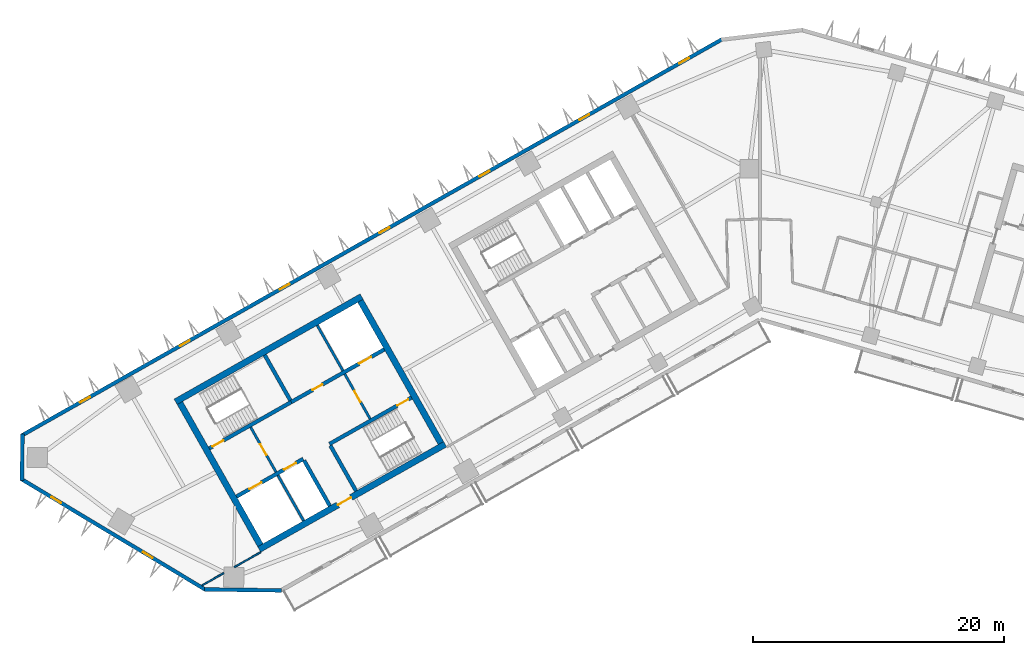
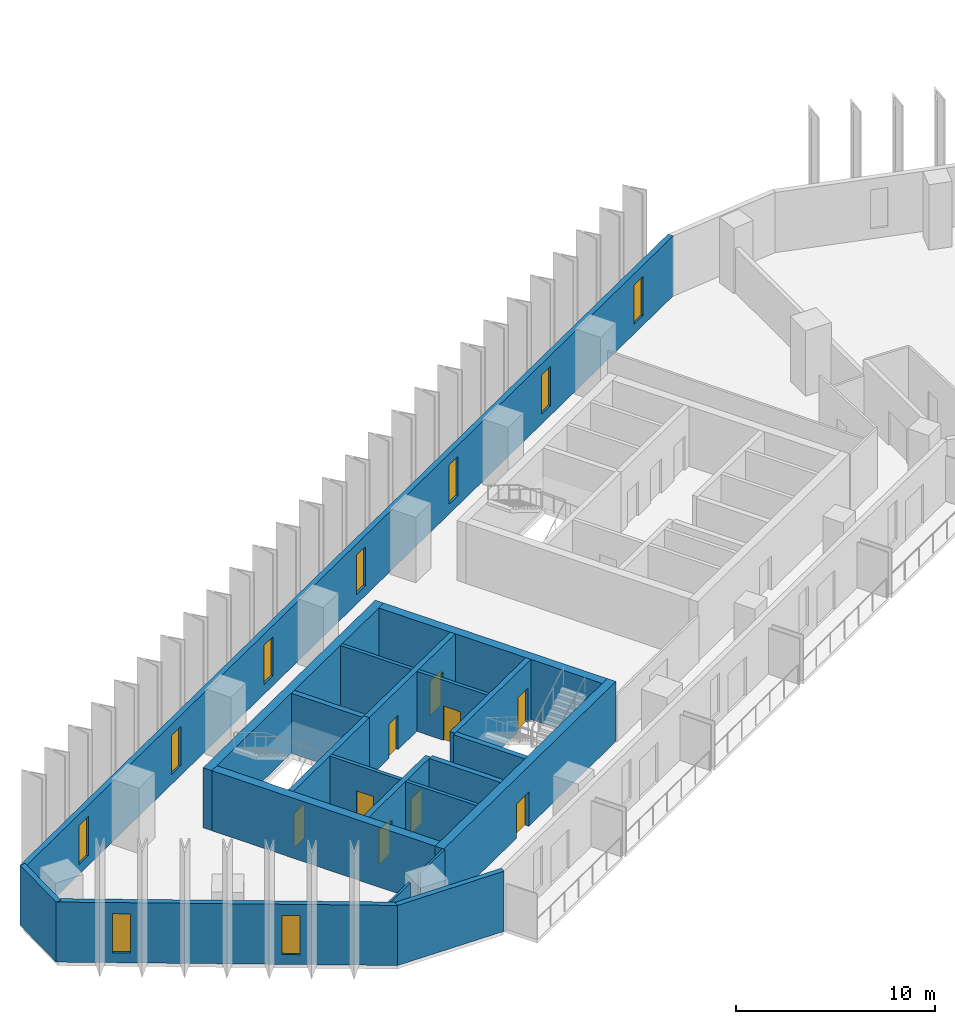
# One storey, part 3 of 10: 21 walls, 9 doors, 9 windows, 18 openings.
"""IFC4 building model written with IfcOpenShell, lengths in metres."""

from ifc_helpers import new_model, si_unit, direction, frame, frame_2d, origin, place, context, subcontext, project, spatial, rectangle, extrude, material, layer, layer_set, type_object, element, fill, save


model = new_model("IFC4")

# Units and contexts
model_context = context("Model", 3, precision=1e-05, world=origin(), true_north=direction((0.0, 1.0)))
body_context = subcontext(model_context, "Body", "Model", "MODEL_VIEW")
ifc_project = project(units=[si_unit("LENGTHUNIT", "METRE"), si_unit("AREAUNIT", "SQUARE_METRE"), si_unit("VOLUMEUNIT", "CUBIC_METRE"), si_unit("PLANEANGLEUNIT", "RADIAN"), si_unit("MASSUNIT", "GRAM", prefix="KILO")], contexts=[model_context])

# Site, building, storey
site_placement = place(None, origin())
site = spatial("IfcSite", under=ifc_project, at=site_placement, CompositionType="ELEMENT")
building_placement = place(site_placement, origin())
building = spatial("IfcBuilding", under=site, at=building_placement, Name="Binnacle Exchange Tower", CompositionType="ELEMENT")
storey_placement = place(building_placement, frame((0.0, 0.0, 194.89990234375)))
storey = spatial("IfcBuildingStorey", under=building, at=storey_placement, Name="L42", CompositionType="ELEMENT", Elevation=194.89990234375)

# Wall, openings, doors
ifc_material_1 = material(Name="Concrete C70/85", Category="concrete")
ifc_layer_1 = layer(ifc_material_1, 0.300048828125)
ifc_layer_set_1 = layer_set([ifc_layer_1], Name="Core wall - front 300")
wall_type_1 = type_object("IfcWallType", Name="Core wall - front 300", PredefinedType="SOLIDWALL", material=ifc_layer_set_1)
wall_1_placement = place(storey_placement, frame((-41.64306640625, 33.91162109375, 0.0), z_axis=(0.0, 0.0, 1.0), x_axis=(0.870343599782, 0.492444939378, 0.0)))
wall_1 = element("IfcWall", 1, at=wall_1_placement, inside=storey, type_object=wall_type_1, Name="Core wall CRWA2", PredefinedType="SOLIDWALL", context=body_context, shape_type="SweptSolid", body=[
    extrude(rectangle(XDim=6.10009765625, YDim=0.300048828125, at=frame_2d((3.050048828125, 0.0))), origin(), (0.0, 0.0, 1.0), 3.68017578125),
])
opening_1_placement = place(wall_1_placement, frame((1.199951171875, 0.0, 0.0)))
opening_1 = element("IfcOpeningElement", 2, at=opening_1_placement, cuts=wall_1, Name="Opening LD12", PredefinedType="OPENING", context=body_context, shape_type="SweptSolid", body=[
    extrude(rectangle(XDim=1.10009765625, YDim=2.10009765625, at=frame_2d((0.550048828125, 1.050048828125))), frame((0.0, 0.159912109375, 0.0), z_axis=(0.0, -1.0, 0.0), x_axis=(1.0, 0.0, 0.0)), (0.0, 0.0, 1.0), 0.320068359375),
])
opening_2_placement = place(wall_1_placement, frame((4.35009765625, 0.0, 0.0)))
opening_2 = element("IfcOpeningElement", 3, at=opening_2_placement, cuts=wall_1, Name="Opening LD8", PredefinedType="OPENING", context=body_context, shape_type="SweptSolid", body=[
    extrude(rectangle(XDim=1.10009765625, YDim=2.10009765625, at=frame_2d((0.550048828125, 1.050048828125))), frame((0.0, 0.159912109375, 0.0), z_axis=(0.0, -1.0, 0.0), x_axis=(1.0, 0.0, 0.0)), (0.0, 0.0, 1.0), 0.320068359375),
])
ifc_material_2 = material(Name="Steel door leaf", Category="steel")
door_type_1 = type_object("IfcDoorType", Name="Fire door - lift landing 1100", OperationType="NOTDEFINED", PredefinedType="DOOR", material=ifc_material_2)
door_1_placement = place(opening_1_placement, origin())
door_1 = element("IfcDoor", 4, at=door_1_placement, inside=storey, type_object=door_type_1, Name="Landing door LD12 L42", OperationType="DOUBLE_DOOR_SLIDING", OverallHeight=2.10009765625, OverallWidth=1.10009765625, PredefinedType="DOOR", context=body_context, shape_type="SweptSolid", body=[
    extrude(rectangle(XDim=1.10009765625, YDim=2.10009765625, at=frame_2d((0.550048828125, 1.050048828125))), frame((0.0, 0.02490234375, 0.0), z_axis=(0.0, -1.0, 0.0), x_axis=(1.0, 0.0, 0.0)), (0.0, 0.0, 1.0), 0.050048828125),
])
fill(opening_1, door_1)
door_2_placement = place(opening_2_placement, origin())
door_2 = element("IfcDoor", 5, at=door_2_placement, inside=storey, type_object=door_type_1, Name="Landing door LD8 L42", OperationType="DOUBLE_DOOR_SLIDING", OverallHeight=2.10009765625, OverallWidth=1.10009765625, PredefinedType="DOOR", context=body_context, shape_type="SweptSolid", body=[
    extrude(rectangle(XDim=1.10009765625, YDim=2.10009765625, at=frame_2d((0.550048828125, 1.050048828125))), frame((0.0, 0.02490234375, 0.0), z_axis=(0.0, -1.0, 0.0), x_axis=(1.0, 0.0, 0.0)), (0.0, 0.0, 1.0), 0.050048828125),
])
fill(opening_2, door_2)

wall_2_placement = place(storey_placement, frame((-37.281982421875, 41.4345703125, 0.0), z_axis=(0.0, 0.0, 1.0), x_axis=(0.870356271124, 0.492422543467, 0.0)))
wall_2 = element("IfcWall", 6, at=wall_2_placement, inside=storey, type_object=wall_type_1, Name="Core wall CRWA5", PredefinedType="SOLIDWALL", context=body_context, shape_type="SweptSolid", body=[
    extrude(rectangle(XDim=8.5, YDim=0.300048828125, at=frame_2d((4.25, 0.0))), origin(), (0.0, 0.0, 1.0), 3.68017578125),
])
opening_3_placement = place(wall_2_placement, frame((6.199951171875, 0.0, 0.0)))
opening_3 = element("IfcOpeningElement", 7, at=opening_3_placement, cuts=wall_2, Name="Opening LD13", PredefinedType="OPENING", context=body_context, shape_type="SweptSolid", body=[
    extrude(rectangle(XDim=1.10009765625, YDim=2.10009765625, at=frame_2d((0.550048828125, 1.050048828125))), frame((0.0, 0.159912109375, 0.0), z_axis=(0.0, -1.0, 0.0), x_axis=(1.0, 0.0, 0.0)), (0.0, 0.0, 1.0), 0.320068359375),
])
opening_4_placement = place(wall_2_placement, frame((1.949951171875, 0.0, 0.0)))
opening_4 = element("IfcOpeningElement", 8, at=opening_4_placement, cuts=wall_2, Name="Opening DA10", PredefinedType="OPENING", context=body_context, shape_type="SweptSolid", body=[
    extrude(rectangle(XDim=0.89990234375, YDim=2.10009765625, at=frame_2d((0.449951171875, 1.050048828125))), frame((0.0, 0.159912109375, 0.0), z_axis=(0.0, -1.0, 0.0), x_axis=(1.0, 0.0, 0.0)), (0.0, 0.0, 1.0), 0.320068359375),
])
door_3_placement = place(opening_3_placement, origin())
door_3 = element("IfcDoor", 9, at=door_3_placement, inside=storey, type_object=door_type_1, Name="Landing door LD13 L42", OperationType="DOUBLE_DOOR_SLIDING", OverallHeight=2.10009765625, OverallWidth=1.10009765625, PredefinedType="DOOR", context=body_context, shape_type="SweptSolid", body=[
    extrude(rectangle(XDim=1.10009765625, YDim=2.10009765625, at=frame_2d((0.550048828125, 1.050048828125))), frame((0.0, 0.02490234375, 0.0), z_axis=(0.0, -1.0, 0.0), x_axis=(1.0, 0.0, 0.0)), (0.0, 0.0, 1.0), 0.050048828125),
])
fill(opening_3, door_3)
door_type_2 = type_object("IfcDoorType", Name="Fire door 900", OperationType="NOTDEFINED", PredefinedType="DOOR", material=ifc_material_2)
door_4_placement = place(opening_4_placement, origin())
door_4 = element("IfcDoor", 10, at=door_4_placement, inside=storey, type_object=door_type_2, Name="Core room door LINEN AND SUPPLIES STORE", OperationType="SINGLE_SWING_LEFT", OverallHeight=2.10009765625, OverallWidth=0.89990234375, PredefinedType="DOOR", context=body_context, shape_type="SweptSolid", body=[
    extrude(rectangle(XDim=0.89990234375, YDim=2.10009765625, at=frame_2d((0.449951171875, 1.050048828125))), frame((0.0, 0.02490234375, 0.0), z_axis=(0.0, -1.0, 0.0), x_axis=(1.0, 0.0, 0.0)), (0.0, 0.0, 1.0), 0.050048828125),
])
fill(opening_4, door_4)

# Wall
wall_3_placement = place(storey_placement, frame((-36.260009765625, 36.784912109375, 0.0), z_axis=(0.0, 0.0, 1.0), x_axis=(0.492421666909, -0.870356767055, 0.0)))
element("IfcWall", 11, at=wall_3_placement, inside=storey, type_object=wall_type_1, Name="Core wall CRWA13", PredefinedType="SOLIDWALL", context=body_context, shape_type="SweptSolid", body=[
    extrude(rectangle(XDim=4.14990234375, YDim=0.300048828125, at=frame_2d((2.074951171875, 0.0))), origin(), (0.0, 0.0, 1.0), 3.68017578125),
])

# Wall, opening, door
ifc_layer_2 = layer(ifc_material_1, 0.5)
ifc_layer_set_2 = layer_set([ifc_layer_2], Name="Core wall - outer 500")
wall_type_2 = type_object("IfcWallType", Name="Core wall - outer 500", PredefinedType="SOLIDWALL", material=ifc_layer_set_2)
wall_4_placement = place(storey_placement, frame((-39.837646484375, 29.705322265625, 0.0), z_axis=(0.0, 0.0, 1.0), x_axis=(0.870350116061, 0.492433422375, 0.0)))
wall_4 = element("IfcWall", 12, at=wall_4_placement, inside=storey, type_object=wall_type_2, Name="Core wall CRWA1", PredefinedType="SOLIDWALL", context=body_context, shape_type="SweptSolid", body=[
    extrude(rectangle(XDim=17.0, YDim=0.5, at=frame_2d((8.5, 0.0))), origin(), (0.0, 0.0, 1.0), 3.68017578125),
])
opening_5_placement = place(wall_4_placement, frame((7.199951171875, 0.0, 0.0)))
opening_5 = element("IfcOpeningElement", 13, at=opening_5_placement, cuts=wall_4, Name="Opening DA7", PredefinedType="OPENING", context=body_context, shape_type="SweptSolid", body=[
    extrude(rectangle(XDim=1.199951171875, YDim=2.10009765625, at=frame_2d((0.60009765625, 1.050048828125))), frame((0.0, 0.260009765625, 0.0), z_axis=(0.0, -1.0, 0.0), x_axis=(1.0, 0.0, 0.0)), (0.0, 0.0, 1.0), 0.52001953125),
])
door_type_3 = type_object("IfcDoorType", Name="Fire door 1200", OperationType="NOTDEFINED", PredefinedType="DOOR", material=ifc_material_2)
door_5_placement = place(opening_5_placement, frame((1.199951171875, 0.0, 0.0), z_axis=(0.0, 0.0, 1.0), x_axis=(-1.0, 0.0, 0.0)))
door_5 = element("IfcDoor", 14, at=door_5_placement, inside=storey, type_object=door_type_3, Name="Lift lobby entrance door core A", OperationType="SINGLE_SWING_RIGHT", OverallHeight=2.10009765625, OverallWidth=1.199951171875, PredefinedType="DOOR", context=body_context, shape_type="SweptSolid", body=[
    extrude(rectangle(XDim=1.199951171875, YDim=2.10009765625, at=frame_2d((0.60009765625, 1.050048828125))), frame((0.0, 0.02490234375, 0.0), z_axis=(0.0, -1.0, 0.0), x_axis=(1.0, 0.0, 0.0)), (0.0, 0.0, 1.0), 0.050048828125),
])
fill(opening_5, door_5)

# Walls
wall_5_placement = place(storey_placement, frame((-46.485595703125, 41.455078125, 0.0), z_axis=(0.0, 0.0, 1.0), x_axis=(0.870353598469, 0.492427267353, 0.0)))
element("IfcWall", 15, at=wall_5_placement, inside=storey, type_object=wall_type_2, Name="Core wall CRWA6", PredefinedType="SOLIDWALL", context=body_context, shape_type="SweptSolid", body=[
    extrude(rectangle(XDim=17.000244140625, YDim=0.5, at=frame_2d((8.5, 0.0))), origin(), (0.0, 0.0, 1.0), 3.68017578125),
])
for number, where, z_axis, x_axis, name in (
    (16, (-46.144775390625, 41.360595703125, 0.0), (0.0, 0.0, 1.0), (0.492435316254, -0.870349044525, 0.0), "Core wall CRWA7"),
    (17, (-31.783935546875, 49.485595703125, 0.0), (0.0, 0.0, 1.0), (0.492435316254, -0.870349044525, 0.0), "Core wall CRWA22"),
):
    element("IfcWall", number, at=place(storey_placement, frame(where, z_axis=z_axis, x_axis=x_axis)), inside=storey, type_object=wall_type_2, Name=name, PredefinedType="SOLIDWALL", context=body_context, shape_type="SweptSolid", body=[
        extrude(rectangle(XDim=13.0, YDim=0.5, at=frame_2d((6.5, 0.0))), origin(), (0.0, 0.0, 1.0), 3.68017578125),
    ])

# Wall, opening, door
ifc_layer_3 = layer(ifc_material_1, 0.300048828125)
ifc_layer_set_3 = layer_set([ifc_layer_3], Name="Core wall - stair 300")
wall_type_3 = type_object("IfcWallType", Name="Core wall - stair 300", PredefinedType="SOLIDWALL", material=ifc_layer_set_3)
wall_6_placement = place(storey_placement, frame((-34.2451171875, 38.097412109375, 0.0), z_axis=(0.0, 0.0, 1.0), x_axis=(0.870364520461, 0.492407962489, 0.0)))
wall_6 = element("IfcWall", 18, at=wall_6_placement, inside=storey, type_object=wall_type_3, Name="Core wall CRWA3", PredefinedType="SOLIDWALL", context=body_context, shape_type="SweptSolid", body=[
    extrude(rectangle(XDim=7.5, YDim=0.300048828125, at=frame_2d((3.75, 0.0))), origin(), (0.0, 0.0, 1.0), 3.68017578125),
])
opening_6_placement = place(wall_6_placement, frame((6.199951171875, 0.0, 0.0)))
opening_6 = element("IfcOpeningElement", 19, at=opening_6_placement, cuts=wall_6, Name="Opening DA2", PredefinedType="OPENING", context=body_context, shape_type="SweptSolid", body=[
    extrude(rectangle(XDim=1.0, YDim=2.10009765625, at=frame_2d((0.5, 1.050048828125))), frame((0.0, 0.159912109375, 0.0), z_axis=(0.0, -1.0, 0.0), x_axis=(1.0, 0.0, 0.0)), (0.0, 0.0, 1.0), 0.320068359375),
])
door_type_4 = type_object("IfcDoorType", Name="Fire door 1000", OperationType="NOTDEFINED", PredefinedType="DOOR", material=ifc_material_2)
door_6_placement = place(opening_6_placement, frame((1.0, 0.0, 0.0), z_axis=(0.0, 0.0, 1.0), x_axis=(-1.0, 0.0, 0.0)))
door_6 = element("IfcDoor", 20, at=door_6_placement, inside=storey, type_object=door_type_4, Name="Stair door ST-A2", OperationType="SINGLE_SWING_LEFT", OverallHeight=2.10009765625, OverallWidth=1.0, PredefinedType="DOOR", context=body_context, shape_type="SweptSolid", body=[
    extrude(rectangle(XDim=1.0, YDim=2.10009765625, at=frame_2d((0.5, 1.050048828125))), frame((0.0, 0.02490234375, 0.0), z_axis=(0.0, -1.0, 0.0), x_axis=(1.0, 0.0, 0.0)), (0.0, 0.0, 1.0), 0.050048828125),
])
fill(opening_6, door_6)

wall_7_placement = place(storey_placement, frame((-43.809814453125, 37.7412109375, 0.0), z_axis=(0.0, 0.0, 1.0), x_axis=(0.870350569555, 0.492432620848, 0.0)))
wall_7 = element("IfcWall", 21, at=wall_7_placement, inside=storey, type_object=wall_type_3, Name="Core wall CRWA4", PredefinedType="SOLIDWALL", context=body_context, shape_type="SweptSolid", body=[
    extrude(rectangle(XDim=7.500244140625, YDim=0.300048828125, at=frame_2d((3.75, 0.0))), origin(), (0.0, 0.0, 1.0), 3.68017578125),
])
opening_7_placement = place(wall_7_placement, frame((0.2998046875, 0.0, 0.0)))
opening_7 = element("IfcOpeningElement", 22, at=opening_7_placement, cuts=wall_7, Name="Opening DA1", PredefinedType="OPENING", context=body_context, shape_type="SweptSolid", body=[
    extrude(rectangle(XDim=1.0, YDim=2.10009765625, at=frame_2d((0.5, 1.050048828125))), frame((0.0, 0.159912109375, 0.0), z_axis=(0.0, -1.0, 0.0), x_axis=(1.0, 0.0, 0.0)), (0.0, 0.0, 1.0), 0.320068359375),
])
door_7_placement = place(opening_7_placement, origin())
door_7 = element("IfcDoor", 23, at=door_7_placement, inside=storey, type_object=door_type_4, Name="Stair door ST-A1", OperationType="SINGLE_SWING_LEFT", OverallHeight=2.10009765625, OverallWidth=1.0, PredefinedType="DOOR", context=body_context, shape_type="SweptSolid", body=[
    extrude(rectangle(XDim=1.0, YDim=2.10009765625, at=frame_2d((0.5, 1.050048828125))), frame((0.0, 0.02490234375, 0.0), z_axis=(0.0, -1.0, 0.0), x_axis=(1.0, 0.0, 0.0)), (0.0, 0.0, 1.0), 0.050048828125),
])
fill(opening_7, door_7)

# Walls
for number, where, z_axis, x_axis, name in (
    (24, (-39.3994140625, 45.177001953125, 0.0), (0.0, 0.0, 1.0), (0.492396453737, -0.870371031427, 0.0), "Core wall CRWA14"),
    (25, (-34.171142578125, 37.966796875, 0.0), (0.0, 0.0, 1.0), (0.492396453737, -0.870371031427, 0.0), "Core wall CRWA16"),
):
    element("IfcWall", number, at=place(storey_placement, frame(where, z_axis=z_axis, x_axis=x_axis)), inside=storey, type_object=wall_type_3, Name=name, PredefinedType="SOLIDWALL", context=body_context, shape_type="SweptSolid", body=[
        extrude(rectangle(XDim=4.14990234375, YDim=0.300048828125, at=frame_2d((2.074951171875, 0.0))), origin(), (0.0, 0.0, 1.0), 3.68017578125),
    ])
ifc_material_3 = material(Name="Bronze aluminium cladding", Category="aluminium")
ifc_layer_4 = layer(ifc_material_3, 0.300048828125)
ifc_layer_set_4 = layer_set([ifc_layer_4], Name="External wall - spandrel 300")
wall_type_4 = type_object("IfcWallType", Name="External wall - spandrel 300", PredefinedType="STANDARD", material=ifc_layer_set_4)
wall_8_placement = place(storey_placement, frame((-38.057373046875, 26.44482421875, 0.0), z_axis=(0.0, 0.0, 1.0), x_axis=(-0.999914086342, 0.013108010296, 0.0)))
element("IfcWall", 26, at=wall_8_placement, inside=storey, type_object=wall_type_4, Name="External wall EW-G00 L42", PredefinedType="STANDARD", context=body_context, shape_type="SweptSolid", body=[
    extrude(rectangle(XDim=6.127685546875, YDim=0.300048828125, at=frame_2d((3.06396484375, 0.0))), origin(), (0.0, 0.0, 1.0), 3.68017578125),
])

# Wall, openings, windows
wall_9_placement = place(storey_placement, frame((-58.744873046875, 38.763671875, 0.0), z_axis=(0.0, 0.0, 1.0), x_axis=(0.870355811726, 0.492423355453, 0.0)))
wall_9 = element("IfcWall", 27, at=wall_9_placement, inside=storey, type_object=wall_type_4, Name="External wall EW-G08 L42", PredefinedType="STANDARD", context=body_context, shape_type="SweptSolid", body=[
    extrude(rectangle(XDim=64.025390625, YDim=0.300048828125, at=frame_2d((32.0126953125, 0.0))), origin(), (0.0, 0.0, 1.0), 3.68017578125),
])
opening_8_placement = place(wall_9_placement, frame((60.12158203125, 0.0, 0.60009765625)))
opening_8 = element("IfcOpeningElement", 28, at=opening_8_placement, cuts=wall_9, Name="Opening WS3", PredefinedType="OPENING", context=body_context, shape_type="SweptSolid", body=[
    extrude(rectangle(XDim=0.89990234375, YDim=2.39990234375, at=frame_2d((0.449951171875, 1.199951171875))), frame((0.0, 0.159912109375, 0.0), z_axis=(0.0, -1.0, 0.0), x_axis=(1.0, 0.0, 0.0)), (0.0, 0.0, 1.0), 0.320068359375),
])
opening_9_placement = place(wall_9_placement, frame((50.99169921875, 0.0, 0.60009765625)))
opening_9 = element("IfcOpeningElement", 29, at=opening_9_placement, cuts=wall_9, Name="Opening WS3", PredefinedType="OPENING", context=body_context, shape_type="SweptSolid", body=[
    extrude(rectangle(XDim=0.89990234375, YDim=2.39990234375, at=frame_2d((0.449951171875, 1.199951171875))), frame((0.0, 0.159912109375, 0.0), z_axis=(0.0, -1.0, 0.0), x_axis=(1.0, 0.0, 0.0)), (0.0, 0.0, 1.0), 0.320068359375),
])
opening_10_placement = place(wall_9_placement, frame((41.86181640625, 0.0, 0.60009765625)))
opening_10 = element("IfcOpeningElement", 30, at=opening_10_placement, cuts=wall_9, Name="Opening WS3", PredefinedType="OPENING", context=body_context, shape_type="SweptSolid", body=[
    extrude(rectangle(XDim=0.89990234375, YDim=2.39990234375, at=frame_2d((0.449951171875, 1.199951171875))), frame((0.0, 0.159912109375, 0.0), z_axis=(0.0, -1.0, 0.0), x_axis=(1.0, 0.0, 0.0)), (0.0, 0.0, 1.0), 0.320068359375),
])
opening_11_placement = place(wall_9_placement, frame((32.73193359375, 0.0, 0.60009765625)))
opening_11 = element("IfcOpeningElement", 31, at=opening_11_placement, cuts=wall_9, Name="Opening WS3", PredefinedType="OPENING", context=body_context, shape_type="SweptSolid", body=[
    extrude(rectangle(XDim=0.89990234375, YDim=2.39990234375, at=frame_2d((0.449951171875, 1.199951171875))), frame((0.0, 0.159912109375, 0.0), z_axis=(0.0, -1.0, 0.0), x_axis=(1.0, 0.0, 0.0)), (0.0, 0.0, 1.0), 0.320068359375),
])
opening_12_placement = place(wall_9_placement, frame((23.60205078125, 0.0, 0.60009765625)))
opening_12 = element("IfcOpeningElement", 32, at=opening_12_placement, cuts=wall_9, Name="Opening WS3", PredefinedType="OPENING", context=body_context, shape_type="SweptSolid", body=[
    extrude(rectangle(XDim=0.89990234375, YDim=2.39990234375, at=frame_2d((0.449951171875, 1.199951171875))), frame((0.0, 0.159912109375, 0.0), z_axis=(0.0, -1.0, 0.0), x_axis=(1.0, 0.0, 0.0)), (0.0, 0.0, 1.0), 0.320068359375),
])
opening_13_placement = place(wall_9_placement, frame((14.47216796875, 0.0, 0.60009765625)))
opening_13 = element("IfcOpeningElement", 33, at=opening_13_placement, cuts=wall_9, Name="Opening WS3", PredefinedType="OPENING", context=body_context, shape_type="SweptSolid", body=[
    extrude(rectangle(XDim=0.89990234375, YDim=2.39990234375, at=frame_2d((0.449951171875, 1.199951171875))), frame((0.0, 0.159912109375, 0.0), z_axis=(0.0, -1.0, 0.0), x_axis=(1.0, 0.0, 0.0)), (0.0, 0.0, 1.0), 0.320068359375),
])
opening_14_placement = place(wall_9_placement, frame((5.34228515625, 0.0, 0.60009765625)))
opening_14 = element("IfcOpeningElement", 34, at=opening_14_placement, cuts=wall_9, Name="Opening WS3", PredefinedType="OPENING", context=body_context, shape_type="SweptSolid", body=[
    extrude(rectangle(XDim=0.89990234375, YDim=2.39990234375, at=frame_2d((0.449951171875, 1.199951171875))), frame((0.0, 0.159912109375, 0.0), z_axis=(0.0, -1.0, 0.0), x_axis=(1.0, 0.0, 0.0)), (0.0, 0.0, 1.0), 0.320068359375),
])
ifc_material_4 = material(Name="Bronze anodised aluminium frame", Category="aluminium")
window_type = type_object("IfcWindowType", Name="WS3 WINDOW 900x2400", PartitioningType="SINGLE_PANEL", PredefinedType="WINDOW", material=ifc_material_4)
window_1_placement = place(opening_8_placement, origin())
window_1 = element("IfcWindow", 35, at=window_1_placement, inside=storey, type_object=window_type, Name="Window WS3 L42", OverallHeight=2.39990234375, OverallWidth=0.89990234375, PartitioningType="SINGLE_PANEL", PredefinedType="WINDOW", context=body_context, shape_type="SweptSolid", body=[
    extrude(rectangle(XDim=0.89990234375, YDim=2.39990234375, at=frame_2d((0.449951171875, 1.199951171875))), frame((0.0, 0.030029296875, 0.0), z_axis=(0.0, -1.0, 0.0), x_axis=(1.0, 0.0, 0.0)), (0.0, 0.0, 1.0), 0.06005859375),
])
fill(opening_8, window_1)
window_2_placement = place(opening_9_placement, origin())
window_2 = element("IfcWindow", 36, at=window_2_placement, inside=storey, type_object=window_type, Name="Window WS3 L42", OverallHeight=2.39990234375, OverallWidth=0.89990234375, PartitioningType="SINGLE_PANEL", PredefinedType="WINDOW", context=body_context, shape_type="SweptSolid", body=[
    extrude(rectangle(XDim=0.89990234375, YDim=2.39990234375, at=frame_2d((0.449951171875, 1.199951171875))), frame((0.0, 0.030029296875, 0.0), z_axis=(0.0, -1.0, 0.0), x_axis=(1.0, 0.0, 0.0)), (0.0, 0.0, 1.0), 0.06005859375),
])
fill(opening_9, window_2)
window_3_placement = place(opening_10_placement, origin())
window_3 = element("IfcWindow", 37, at=window_3_placement, inside=storey, type_object=window_type, Name="Window WS3 L42", OverallHeight=2.39990234375, OverallWidth=0.89990234375, PartitioningType="SINGLE_PANEL", PredefinedType="WINDOW", context=body_context, shape_type="SweptSolid", body=[
    extrude(rectangle(XDim=0.89990234375, YDim=2.39990234375, at=frame_2d((0.449951171875, 1.199951171875))), frame((0.0, 0.030029296875, 0.0), z_axis=(0.0, -1.0, 0.0), x_axis=(1.0, 0.0, 0.0)), (0.0, 0.0, 1.0), 0.06005859375),
])
fill(opening_10, window_3)
window_4_placement = place(opening_11_placement, origin())
window_4 = element("IfcWindow", 38, at=window_4_placement, inside=storey, type_object=window_type, Name="Window WS3 L42", OverallHeight=2.39990234375, OverallWidth=0.89990234375, PartitioningType="SINGLE_PANEL", PredefinedType="WINDOW", context=body_context, shape_type="SweptSolid", body=[
    extrude(rectangle(XDim=0.89990234375, YDim=2.39990234375, at=frame_2d((0.449951171875, 1.199951171875))), frame((0.0, 0.030029296875, 0.0), z_axis=(0.0, -1.0, 0.0), x_axis=(1.0, 0.0, 0.0)), (0.0, 0.0, 1.0), 0.06005859375),
])
fill(opening_11, window_4)
window_5_placement = place(opening_12_placement, origin())
window_5 = element("IfcWindow", 39, at=window_5_placement, inside=storey, type_object=window_type, Name="Window WS3 L42", OverallHeight=2.39990234375, OverallWidth=0.89990234375, PartitioningType="SINGLE_PANEL", PredefinedType="WINDOW", context=body_context, shape_type="SweptSolid", body=[
    extrude(rectangle(XDim=0.89990234375, YDim=2.39990234375, at=frame_2d((0.449951171875, 1.199951171875))), frame((0.0, 0.030029296875, 0.0), z_axis=(0.0, -1.0, 0.0), x_axis=(1.0, 0.0, 0.0)), (0.0, 0.0, 1.0), 0.06005859375),
])
fill(opening_12, window_5)
window_6_placement = place(opening_13_placement, origin())
window_6 = element("IfcWindow", 40, at=window_6_placement, inside=storey, type_object=window_type, Name="Window WS3 L42", OverallHeight=2.39990234375, OverallWidth=0.89990234375, PartitioningType="SINGLE_PANEL", PredefinedType="WINDOW", context=body_context, shape_type="SweptSolid", body=[
    extrude(rectangle(XDim=0.89990234375, YDim=2.39990234375, at=frame_2d((0.449951171875, 1.199951171875))), frame((0.0, 0.030029296875, 0.0), z_axis=(0.0, -1.0, 0.0), x_axis=(1.0, 0.0, 0.0)), (0.0, 0.0, 1.0), 0.06005859375),
])
fill(opening_13, window_6)
window_7_placement = place(opening_14_placement, origin())
window_7 = element("IfcWindow", 41, at=window_7_placement, inside=storey, type_object=window_type, Name="Window WS3 L42", OverallHeight=2.39990234375, OverallWidth=0.89990234375, PartitioningType="SINGLE_PANEL", PredefinedType="WINDOW", context=body_context, shape_type="SweptSolid", body=[
    extrude(rectangle(XDim=0.89990234375, YDim=2.39990234375, at=frame_2d((0.449951171875, 1.199951171875))), frame((0.0, 0.030029296875, 0.0), z_axis=(0.0, -1.0, 0.0), x_axis=(1.0, 0.0, 0.0)), (0.0, 0.0, 1.0), 0.06005859375),
])
fill(opening_14, window_7)

# Wall
wall_10_placement = place(storey_placement, frame((-58.717041015625, 35.19384765625, 0.0), z_axis=(0.0, 0.0, 1.0), x_axis=(0.013069053407, 0.999914596275, 0.0)))
element("IfcWall", 42, at=wall_10_placement, inside=storey, type_object=wall_type_4, Name="External wall EW-G09 L42", PredefinedType="STANDARD", context=body_context, shape_type="SweptSolid", body=[
    extrude(rectangle(XDim=3.69873046875, YDim=0.300048828125, at=frame_2d((1.849365234375, 0.0))), origin(), (0.0, 0.0, 1.0), 3.68017578125),
])

# Wall, openings, windows
wall_11_placement = place(storey_placement, frame((-44.109375, 26.503662109375, 0.0), z_axis=(0.0, 0.0, 1.0), x_axis=(-0.857169502585, 0.515034410344, 0.0)))
wall_11 = element("IfcWall", 43, at=wall_11_placement, inside=storey, type_object=wall_type_4, Name="External wall EW-G10 L42", PredefinedType="STANDARD", context=body_context, shape_type="SweptSolid", body=[
    extrude(rectangle(XDim=17.126708984375, YDim=0.300048828125, at=frame_2d((8.5634765625, 0.0))), origin(), (0.0, 0.0, 1.0), 3.68017578125),
])
opening_15_placement = place(wall_11_placement, frame((13.403076171875, 0.0, 0.60009765625)))
opening_15 = element("IfcOpeningElement", 44, at=opening_15_placement, cuts=wall_11, Name="Opening WS3", PredefinedType="OPENING", context=body_context, shape_type="SweptSolid", body=[
    extrude(rectangle(XDim=0.89990234375, YDim=2.39990234375, at=frame_2d((0.449951171875, 1.199951171875))), frame((0.0, 0.159912109375, 0.0), z_axis=(0.0, -1.0, 0.0), x_axis=(1.0, 0.0, 0.0)), (0.0, 0.0, 1.0), 0.320068359375),
])
opening_16_placement = place(wall_11_placement, frame((4.903076171875, 0.0, 0.60009765625)))
opening_16 = element("IfcOpeningElement", 45, at=opening_16_placement, cuts=wall_11, Name="Opening WS3", PredefinedType="OPENING", context=body_context, shape_type="SweptSolid", body=[
    extrude(rectangle(XDim=0.89990234375, YDim=2.39990234375, at=frame_2d((0.449951171875, 1.199951171875))), frame((0.0, 0.159912109375, 0.0), z_axis=(0.0, -1.0, 0.0), x_axis=(1.0, 0.0, 0.0)), (0.0, 0.0, 1.0), 0.320068359375),
])
window_8_placement = place(opening_15_placement, origin())
window_8 = element("IfcWindow", 46, at=window_8_placement, inside=storey, type_object=window_type, Name="Window WS3 L42", OverallHeight=2.39990234375, OverallWidth=0.89990234375, PartitioningType="SINGLE_PANEL", PredefinedType="WINDOW", context=body_context, shape_type="SweptSolid", body=[
    extrude(rectangle(XDim=0.89990234375, YDim=2.39990234375, at=frame_2d((0.449951171875, 1.199951171875))), frame((0.0, 0.030029296875, 0.0), z_axis=(0.0, -1.0, 0.0), x_axis=(1.0, 0.0, 0.0)), (0.0, 0.0, 1.0), 0.06005859375),
])
fill(opening_15, window_8)
window_9_placement = place(opening_16_placement, origin())
window_9 = element("IfcWindow", 47, at=window_9_placement, inside=storey, type_object=window_type, Name="Window WS3 L42", OverallHeight=2.39990234375, OverallWidth=0.89990234375, PartitioningType="SINGLE_PANEL", PredefinedType="WINDOW", context=body_context, shape_type="SweptSolid", body=[
    extrude(rectangle(XDim=0.89990234375, YDim=2.39990234375, at=frame_2d((0.449951171875, 1.199951171875))), frame((0.0, 0.030029296875, 0.0), z_axis=(0.0, -1.0, 0.0), x_axis=(1.0, 0.0, 0.0)), (0.0, 0.0, 1.0), 0.06005859375),
])
fill(opening_16, window_9)

# Wall, opening, door
ifc_material_5 = material(Name="Masonry block wall", Category="masonry")
ifc_layer_5 = layer(ifc_material_5, 0.199951171875)
ifc_layer_set_5 = layer_set([ifc_layer_5], Name="Fire wall - vestibule 200")
wall_type_5 = type_object("IfcWallType", Name="Fire wall - vestibule 200", PredefinedType="PARTITIONING", material=ifc_layer_set_5)
wall_12_placement = place(storey_placement, frame((-40.515625, 39.4326171875, 0.0), z_axis=(0.0, 0.0, 1.0), x_axis=(0.492453559952, -0.87033872216, 0.0)))
wall_12 = element("IfcWall", 48, at=wall_12_placement, inside=storey, type_object=wall_type_5, Name="Core wall CRWA10", PredefinedType="PARTITIONING", context=body_context, shape_type="SweptSolid", body=[
    extrude(rectangle(XDim=4.099853515625, YDim=0.199951171875, at=frame_2d((2.0498046875, 0.0))), origin(), (0.0, 0.0, 1.0), 3.68017578125),
])
opening_17_placement = place(wall_12_placement, frame((1.550048828125, 0.0, 0.0)))
opening_17 = element("IfcOpeningElement", 49, at=opening_17_placement, cuts=wall_12, Name="Opening DA3", PredefinedType="OPENING", context=body_context, shape_type="SweptSolid", body=[
    extrude(rectangle(XDim=1.0, YDim=2.10009765625, at=frame_2d((0.5, 1.050048828125))), frame((0.0, 0.10986328125, 0.0), z_axis=(0.0, -1.0, 0.0), x_axis=(1.0, 0.0, 0.0)), (0.0, 0.0, 1.0), 0.219970703125),
])
door_8_placement = place(opening_17_placement, frame((1.0, 0.0, 0.0), z_axis=(0.0, 0.0, 1.0), x_axis=(-1.0, 0.0, 0.0)))
door_8 = element("IfcDoor", 50, at=door_8_placement, inside=storey, type_object=door_type_4, Name="Vestibule door VEST-W", OperationType="SINGLE_SWING_LEFT", OverallHeight=2.10009765625, OverallWidth=1.0, PredefinedType="DOOR", context=body_context, shape_type="SweptSolid", body=[
    extrude(rectangle(XDim=1.0, YDim=2.10009765625, at=frame_2d((0.5, 1.050048828125))), frame((0.0, 0.02490234375, 0.0), z_axis=(0.0, -1.0, 0.0), x_axis=(1.0, 0.0, 0.0)), (0.0, 0.0, 1.0), 0.050048828125),
])
fill(opening_17, door_8)

wall_13_placement = place(storey_placement, frame((-33.030517578125, 43.66748046875, 0.0), z_axis=(0.0, 0.0, 1.0), x_axis=(0.492408451753, -0.87036424366, 0.0)))
wall_13 = element("IfcWall", 51, at=wall_13_placement, inside=storey, type_object=wall_type_5, Name="Core wall CRWA19", PredefinedType="PARTITIONING", context=body_context, shape_type="SweptSolid", body=[
    extrude(rectangle(XDim=4.099853515625, YDim=0.199951171875, at=frame_2d((2.0498046875, 0.0))), origin(), (0.0, 0.0, 1.0), 3.68017578125),
])
opening_18_placement = place(wall_13_placement, frame((1.550048828125, 0.0, 0.0)))
opening_18 = element("IfcOpeningElement", 52, at=opening_18_placement, cuts=wall_13, Name="Opening DA4", PredefinedType="OPENING", context=body_context, shape_type="SweptSolid", body=[
    extrude(rectangle(XDim=1.0, YDim=2.10009765625, at=frame_2d((0.5, 1.050048828125))), frame((0.0, 0.10986328125, 0.0), z_axis=(0.0, -1.0, 0.0), x_axis=(1.0, 0.0, 0.0)), (0.0, 0.0, 1.0), 0.219970703125),
])
door_9_placement = place(opening_18_placement, origin())
door_9 = element("IfcDoor", 53, at=door_9_placement, inside=storey, type_object=door_type_4, Name="Vestibule door VEST-E", OperationType="SINGLE_SWING_RIGHT", OverallHeight=2.10009765625, OverallWidth=1.0, PredefinedType="DOOR", context=body_context, shape_type="SweptSolid", body=[
    extrude(rectangle(XDim=1.0, YDim=2.10009765625, at=frame_2d((0.5, 1.050048828125))), frame((0.0, 0.02490234375, 0.0), z_axis=(0.0, -1.0, 0.0), x_axis=(1.0, 0.0, 0.0)), (0.0, 0.0, 1.0), 0.050048828125),
])
fill(opening_18, door_9)

# Walls
ifc_material_6 = material(Name="Gypsum partition")
ifc_layer_6 = layer(ifc_material_6, 0.125)
ifc_layer_set_6 = layer_set([ifc_layer_6], Name="Partition 125")
wall_type_6 = type_object("IfcWallType", Name="Partition 125", PredefinedType="PARTITIONING", material=ifc_layer_set_6)
wall_14_placement = place(storey_placement, frame((-44.385986328125, 26.844970703125, 0.0), z_axis=(0.0, 0.0, 1.0), x_axis=(0.870453184796, 0.492251209322, 0.0)))
element("IfcWall", 54, at=wall_14_placement, inside=storey, type_object=wall_type_6, Name="Partition W01", PredefinedType="PARTITIONING", context=body_context, shape_type="SweptSolid", body=[
    extrude(rectangle(XDim=1.99072265625, YDim=0.125, at=frame_2d((0.995361328125, 0.0))), origin(), (0.0, 0.0, 1.0), 3.68017578125),
])
wall_15_placement = place(storey_placement, frame((-41.823974609375, 28.2939453125, 0.0), z_axis=(0.0, 0.0, 1.0), x_axis=(0.870189216305, 0.492717695873, 0.0)))
element("IfcWall", 55, at=wall_15_placement, inside=storey, type_object=wall_type_6, Name="Partition W02", PredefinedType="PARTITIONING", context=body_context, shape_type="SweptSolid", body=[
    extrude(rectangle(XDim=2.423583984375, YDim=0.125, at=frame_2d((1.2119140625, 0.0))), origin(), (0.0, 0.0, 1.0), 3.68017578125),
])
ifc_layer_7 = layer(ifc_material_5, 0.199951171875)
ifc_layer_set_7 = layer_set([ifc_layer_7], Name="Shaft wall 200")
wall_type_7 = type_object("IfcWallType", Name="Shaft wall 200", PredefinedType="SOLIDWALL", material=ifc_layer_set_7)
for number, where, z_axis, x_axis, name in (
    (56, (-38.348876953125, 35.603271484375, 0.0), (0.0, 0.0, 1.0), (0.492396453737, -0.870371031427, 0.0), "Core wall CRWA9"),
    (57, (-35.2216796875, 47.54052734375, 0.0), (0.0, 0.0, 1.0), (0.492421666909, -0.870356767055, 0.0), "Core wall CRWA21"),
):
    element("IfcWall", number, at=place(storey_placement, frame(where, z_axis=z_axis, x_axis=x_axis)), inside=storey, type_object=wall_type_7, Name=name, PredefinedType="SOLIDWALL", context=body_context, shape_type="SweptSolid", body=[
        extrude(rectangle(XDim=4.14990234375, YDim=0.199951171875, at=frame_2d((2.074951171875, 0.0))), origin(), (0.0, 0.0, 1.0), 3.68017578125),
    ])

save(model, "model.ifc")
